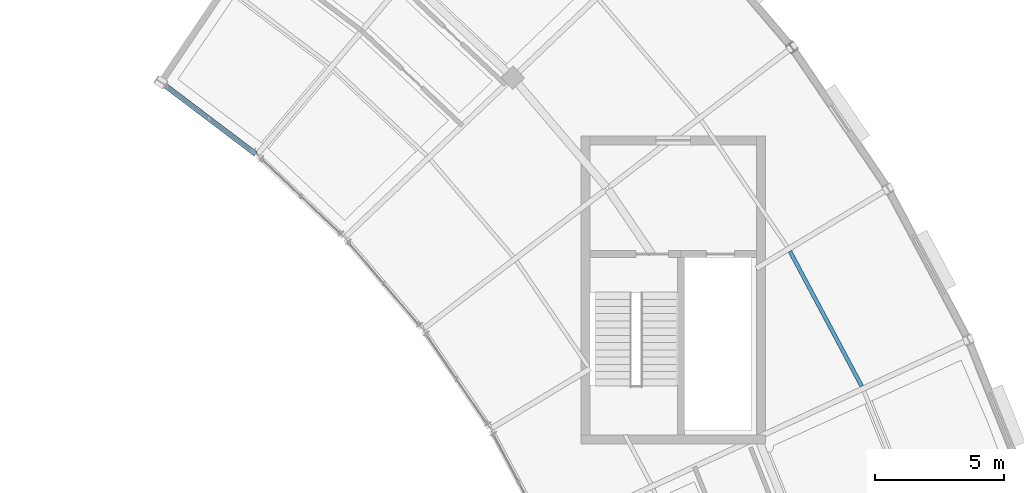
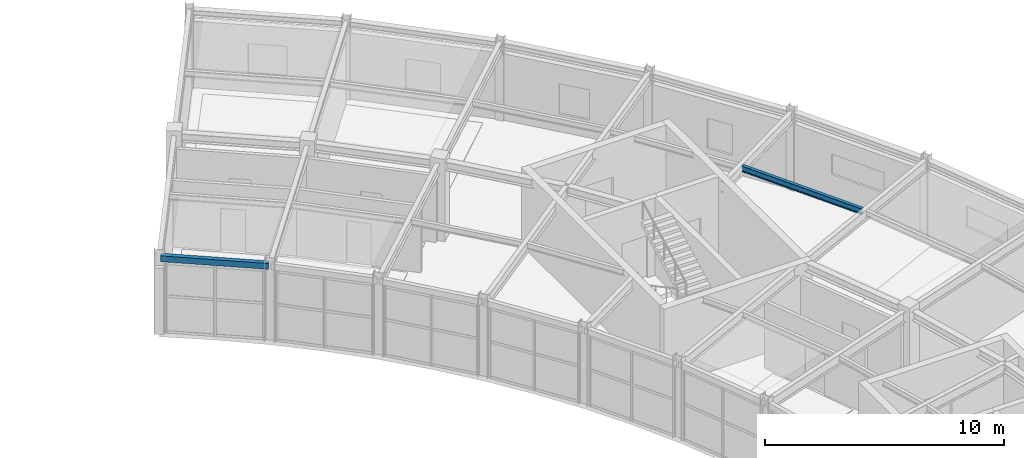
# One storey, part 37 of 63: 2 beams.
"""IFC4 building model written with IfcOpenShell, lengths in metres."""

from ifc_helpers import new_model, si_unit, direction, frame, origin, origin_2d, place, context, subcontext, project, spatial, hollow_rectangle, i_section, extrude, material, material_profile, profile_set, type_object, element, save


model = new_model("IFC4")

# Units and contexts
model_context = context("Model", 3, precision=1e-05, world=origin(), true_north=direction((0.0, 1.0)))
body_context = subcontext(model_context, "Body", "Model", "MODEL_VIEW")
ifc_project = project(units=[si_unit("LENGTHUNIT", "METRE"), si_unit("AREAUNIT", "SQUARE_METRE"), si_unit("VOLUMEUNIT", "CUBIC_METRE"), si_unit("PLANEANGLEUNIT", "RADIAN"), si_unit("MASSUNIT", "GRAM", prefix="KILO")], contexts=[model_context])

# Site, building, storey
site_placement = place(None, origin())
site = spatial("IfcSite", under=ifc_project, at=site_placement, CompositionType="ELEMENT")
building_placement = place(site_placement, origin())
building = spatial("IfcBuilding", under=site, at=building_placement, Name="Tarnveldt Headland Concert Hall", CompositionType="ELEMENT")
storey_placement = place(building_placement, frame((0.0, 0.0, 14.39990234375)))
storey = spatial("IfcBuildingStorey", under=building, at=storey_placement, Name="L03", CompositionType="ELEMENT", Elevation=14.39990234375)

# Beams
ifc_material = material(Name="Steel S355", Category="steel")
ifc_material_profile_1 = material_profile(ifc_material, i_section(OverallWidth=0.14990234375, OverallDepth=0.300048828125, WebThickness=0.007080078125, FlangeThickness=0.0107421875, FilletRadius=0.014892578125, at=origin_2d()), Name="IPE300", Category="steel")
ifc_profile_set_1 = profile_set([ifc_material_profile_1], Name="Steel S355")
beam_type_1 = type_object("IfcBeamType", Name="SB-IPE300", PredefinedType="JOIST", material=ifc_profile_set_1)
beam_1_placement = place(storey_placement, frame((168.703369140625, 83.871337890625, 3.81005859375), z_axis=(-0.469496755618, 0.882934197132, 0.0), x_axis=(-0.882934197132, -0.469496755618, 0.0)))
element("IfcBeam", 1, at=beam_1_placement, inside=storey, type_object=beam_type_1, Name="Framing beam L03-1300", PredefinedType="JOIST", context=body_context, shape_type="SweptSolid", body=[
    extrude(i_section(OverallWidth=0.14990234375, OverallDepth=0.300048828125, WebThickness=0.007080078125, FlangeThickness=0.0107421875, FilletRadius=0.014892578125, at=origin_2d()), origin(), (0.0, 0.0, 1.0), 5.9228515625),
])
ifc_material_profile_2 = material_profile(ifc_material, hollow_rectangle(XDim=0.199951171875, YDim=0.300048828125, WallThickness=0.012451171875, at=origin_2d()), Name="RHS 300x200x12.5", Category="steel")
ifc_profile_set_2 = profile_set([ifc_material_profile_2], Name="Steel S355")
beam_type_2 = type_object("IfcBeamType", Name="SB-RHS300", PredefinedType="SPANDREL", material=ifc_profile_set_2)
beam_2_placement = place(storey_placement, frame((145.219482421875, 92.86865234375, 3.81005859375), z_axis=(-0.797480390637, 0.603344865355, 0.0), x_axis=(-0.603344865355, -0.797480390637, 0.0)))
element("IfcBeam", 2, at=beam_2_placement, inside=storey, type_object=beam_type_2, Name="Framing beam L03-1324", PredefinedType="SPANDREL", context=body_context, shape_type="SweptSolid", body=[
    extrude(hollow_rectangle(XDim=0.199951171875, YDim=0.300048828125, WallThickness=0.012451171875, at=origin_2d()), origin(), (0.0, 0.0, 1.0), 4.54736328125),
])

save(model, "model.ifc")
